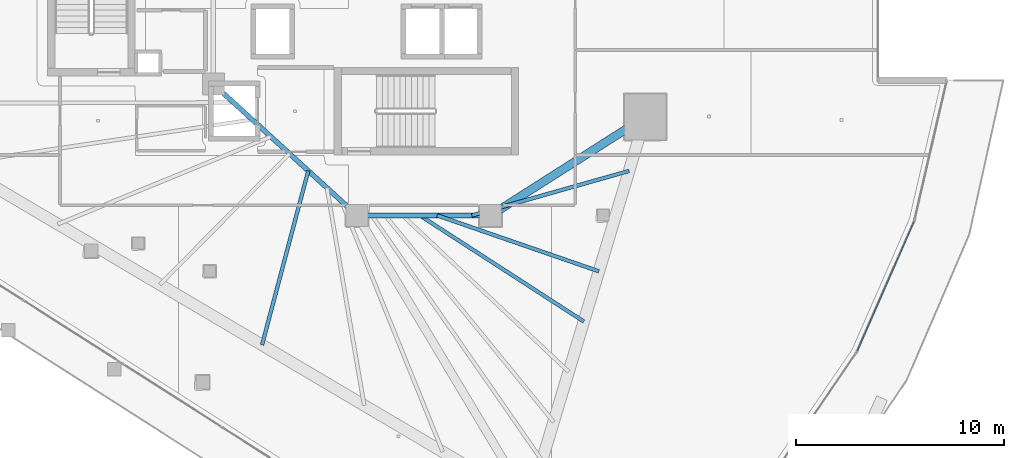
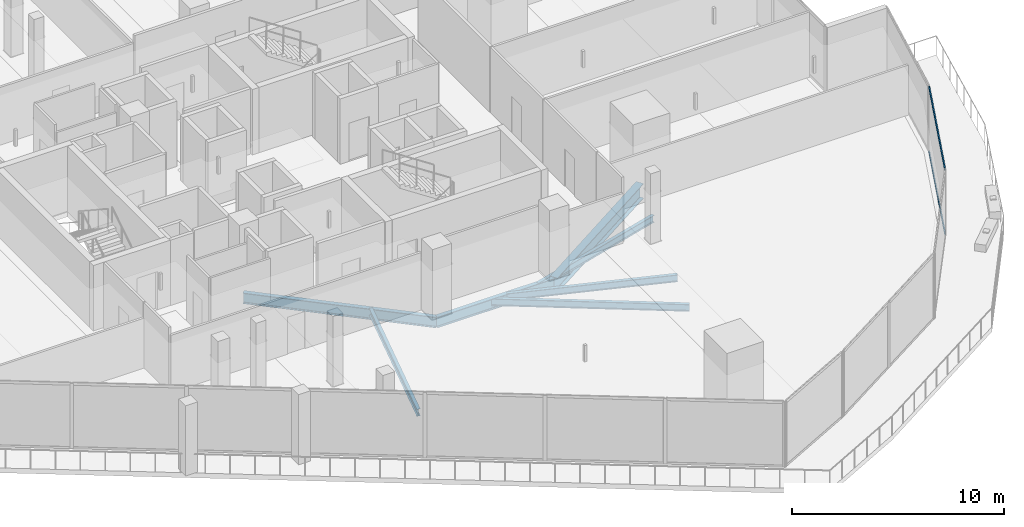
# One storey, part 11 of 42: 7 beams, 2 members, 1 element without a shape of its own.
"""IFC4 building model written with IfcOpenShell, lengths in metres."""

from ifc_helpers import new_model, si_unit, direction, frame, origin, origin_2d, place, context, subcontext, project, spatial, hollow_rectangle, i_section, extrude, material, layer, layer_set, material_profile, profile_set, type_object, element, aggregate, save


model = new_model("IFC4")

# Units and contexts
model_context = context("Model", 3, precision=1e-05, world=origin(), true_north=direction((0.0, 1.0)))
body_context = subcontext(model_context, "Body", "Model", "MODEL_VIEW")
ifc_project = project(units=[si_unit("LENGTHUNIT", "METRE"), si_unit("AREAUNIT", "SQUARE_METRE"), si_unit("VOLUMEUNIT", "CUBIC_METRE"), si_unit("PLANEANGLEUNIT", "RADIAN"), si_unit("MASSUNIT", "GRAM", prefix="KILO")], contexts=[model_context])

# Site, building, storey
site_placement = place(None, origin())
site = spatial("IfcSite", under=ifc_project, at=site_placement, CompositionType="ELEMENT")
building_placement = place(site_placement, origin())
building = spatial("IfcBuilding", under=site, at=building_placement, Name="Qorvath Tower", CompositionType="ELEMENT")
storey_placement = place(building_placement, frame((0.0, 0.0, 121.949951171875)))
storey = spatial("IfcBuildingStorey", under=building, at=storey_placement, Name="L27", CompositionType="ELEMENT", Elevation=121.949951171875)

# Beams
ifc_material_1 = material(Name="Steel ASTM A992 Grade 50", Category="steel")
ifc_material_profile_1 = material_profile(ifc_material_1, i_section(OverallWidth=0.39892578125, OverallDepth=0.85498046875, WebThickness=0.018310546875, FlangeThickness=0.029296875, FilletRadius=0.02001953125, at=origin_2d()), Name="W33x201")
ifc_profile_set_1 = profile_set([ifc_material_profile_1], Name="Steel ASTM A992 Grade 50")
beam_type_1 = type_object("IfcBeamType", Name="BM-FG2", PredefinedType="BEAM", material=ifc_profile_set_1)
beam_1_placement = place(storey_placement, frame((-17.199951171875, -11.449951171875, -0.70751953125), z_axis=(0.843634090834, 0.536918542037, 0.0), x_axis=(-0.536918542037, 0.843634090834, 0.0)))
element("IfcBeam", 1, at=beam_1_placement, inside=storey, type_object=beam_type_1, Name="Radial Floor Girder CC3-MC4 L27", PredefinedType="BEAM", context=body_context, shape_type="SweptSolid", body=[
    extrude(i_section(OverallWidth=0.39892578125, OverallDepth=0.85498046875, WebThickness=0.018310546875, FlangeThickness=0.029296875, FilletRadius=0.02001953125, at=origin_2d()), origin(), (0.0, 0.0, 1.0), 8.806884765625),
])
ifc_material_2 = material(Name="Steel ASTM A992 Grade 50", Category="steel")
ifc_material_profile_2 = material_profile(ifc_material_2, i_section(OverallWidth=0.22998046875, OverallDepth=0.616943359375, WebThickness=0.01318359375, FlangeThickness=0.022216796875, FilletRadius=0.014892578125, at=origin_2d()), Name="W24x94")
ifc_profile_set_2 = profile_set([ifc_material_profile_2], Name="Steel ASTM A992 Grade 50")
beam_type_2 = type_object("IfcBeamType", Name="BM-FG6", PredefinedType="BEAM", material=ifc_profile_set_2)
beam_2_placement = place(storey_placement, frame((-17.199951171875, -11.449951171875, -0.588623046875), z_axis=(-1.0, 0.0, 0.0), x_axis=(0.0, -1.0, 0.0)))
element("IfcBeam", 2, at=beam_2_placement, inside=storey, type_object=beam_type_2, Name="Core Ring Girder CC3-CC4 L27", PredefinedType="BEAM", context=body_context, shape_type="SweptSolid", body=[
    extrude(i_section(OverallWidth=0.22998046875, OverallDepth=0.616943359375, WebThickness=0.01318359375, FlangeThickness=0.022216796875, FilletRadius=0.014892578125, at=origin_2d()), origin(), (0.0, 0.0, 1.0), 6.400146484375),
])
beam_3_placement = place(storey_placement, frame((-23.60009765625, -11.449951171875, -0.588623046875), z_axis=(-0.73847813985, 0.6742774184, 0.0), x_axis=(-0.6742774184, -0.73847813985, 0.0)))
element("IfcBeam", 3, at=beam_3_placement, inside=storey, type_object=beam_type_2, Name="Core Ring Girder CC4-CC6 L27", PredefinedType="BEAM", context=body_context, shape_type="SweptSolid", body=[
    extrude(i_section(OverallWidth=0.22998046875, OverallDepth=0.616943359375, WebThickness=0.01318359375, FlangeThickness=0.022216796875, FilletRadius=0.014892578125, at=origin_2d()), origin(), (0.0, 0.0, 1.0), 9.343505859375),
])
ifc_material_3 = material(Name="Steel ASTM A992 Grade 50", Category="steel")
ifc_material_profile_3 = material_profile(ifc_material_3, i_section(OverallWidth=0.177978515625, OverallDepth=0.406005859375, WebThickness=0.0078125, FlangeThickness=0.0126953125, FilletRadius=0.010986328125, at=origin_2d()), Name="W16x40")
ifc_profile_set_3 = profile_set([ifc_material_profile_3], Name="Steel ASTM A992 Grade 50")
beam_type_3 = type_object("IfcBeamType", Name="BM-FJ3", PredefinedType="JOIST", material=ifc_profile_set_3)
beam_4_placement = place(storey_placement, frame((-18.095947265625, -11.449951171875, -0.483154296875), z_axis=(0.962222206221, 0.272265359264, 0.0), x_axis=(-0.272265359264, 0.962222206221, 0.0)))
element("IfcBeam", 4, at=beam_4_placement, inside=storey, type_object=beam_type_3, Name="Composite Floor Joist SE1 L27", PredefinedType="JOIST", context=body_context, shape_type="SweptSolid", body=[
    extrude(i_section(OverallWidth=0.177978515625, OverallDepth=0.406005859375, WebThickness=0.0078125, FlangeThickness=0.0126953125, FilletRadius=0.010986328125, at=origin_2d()), origin(), (0.0, 0.0, 1.0), 7.841552734375),
])
beam_5_placement = place(storey_placement, frame((-19.760009765625, -11.449951171875, -0.483154296875), z_axis=(0.945168345309, -0.326583525342, 0.0), x_axis=(0.326583525342, 0.945168345309, 0.0)))
element("IfcBeam", 5, at=beam_5_placement, inside=storey, type_object=beam_type_3, Name="Composite Floor Joist SE3 L27", PredefinedType="JOIST", context=body_context, shape_type="SweptSolid", body=[
    extrude(i_section(OverallWidth=0.177978515625, OverallDepth=0.406005859375, WebThickness=0.0078125, FlangeThickness=0.0126953125, FilletRadius=0.010986328125, at=origin_2d()), origin(), (0.0, 0.0, 1.0), 8.21044921875),
])
beam_6_placement = place(storey_placement, frame((-20.592041015625, -11.449951171875, -0.483154296875), z_axis=(0.839630966809, -0.543157288062, 0.0), x_axis=(0.543157288062, 0.839630966809, 0.0)))
element("IfcBeam", 6, at=beam_6_placement, inside=storey, type_object=beam_type_3, Name="Composite Floor Joist SE4 L27", PredefinedType="JOIST", context=body_context, shape_type="SweptSolid", body=[
    extrude(i_section(OverallWidth=0.177978515625, OverallDepth=0.406005859375, WebThickness=0.0078125, FlangeThickness=0.0126953125, FilletRadius=0.010986328125, at=origin_2d()), origin(), (0.0, 0.0, 1.0), 9.370361328125),
])
beam_7_placement = place(storey_placement, frame((-25.946044921875, -9.30810546875, -0.483154296875), z_axis=(-0.256507909517, -0.966542131702, 0.0), x_axis=(0.966542131702, -0.256507909517, 0.0)))
element("IfcBeam", 7, at=beam_7_placement, inside=storey, type_object=beam_type_3, Name="Composite Floor Joist SW5 L27", PredefinedType="JOIST", context=body_context, shape_type="SweptSolid", body=[
    extrude(i_section(OverallWidth=0.177978515625, OverallDepth=0.406005859375, WebThickness=0.0078125, FlangeThickness=0.0126953125, FilletRadius=0.010986328125, at=origin_2d()), origin(), (0.0, 0.0, 1.0), 8.64697265625),
])

# Curtain wall, members
ifc_material_4 = material(Name="Anodised aluminium and triple low-E glass", Category="aluminium")
ifc_layer = layer(ifc_material_4, 0.179931640625)
ifc_layer_set = layer_set([ifc_layer], Name="CW-SYS-2")
curtain_wall_type = type_object("IfcCurtainWallType", Name="CW-SYS-2", PredefinedType="NOTDEFINED", material=ifc_layer_set)
curtain_wall_placement = place(storey_placement, origin())
curtain_wall = element("IfcCurtainWall", 8, at=curtain_wall_placement, inside=storey, type_object=curtain_wall_type, Name="Curtain Wall CW-2 CW-T-L27-6.1", PredefinedType="NOTDEFINED")
ifc_material_5 = material(Name="Anodised aluminium 6063-T6", Category="aluminium")
ifc_material_profile_4 = material_profile(ifc_material_5, hollow_rectangle(XDim=0.06494140625, YDim=0.159912109375, WallThickness=0.00341796875, InnerFilletRadius=0.00341796875, OuterFilletRadius=0.007080078125, at=origin_2d()), Name="CWT 160x65")
ifc_profile_set_4 = profile_set([ifc_material_profile_4], Name="Anodised aluminium 6063-T6")
member_type = type_object("IfcMemberType", Name="CWT-160", PredefinedType="USERDEFINED", material=ifc_profile_set_4)
member_1_placement = place(storey_placement, frame((0.3984375, -17.952880859375, 0.032470703125), z_axis=(0.40165088522, 0.91579286217, 0.0), x_axis=(-0.91579286217, 0.40165088522, 0.0)))
member_1 = element("IfcMember", 9, at=member_1_placement, type_object=member_type, Name="CW-2 transom 1.1", ObjectType="TRANSOM", PredefinedType="USERDEFINED", context=body_context, shape_type="SweptSolid", body=[
    extrude(hollow_rectangle(XDim=0.06494140625, YDim=0.159912109375, WallThickness=0.00341796875, InnerFilletRadius=0.00341796875, OuterFilletRadius=0.007080078125, at=origin_2d()), origin(), (0.0, 0.0, 1.0), 6.771484375),
])
member_2_placement = place(storey_placement, frame((0.3984375, -17.952880859375, 3.737548828125), z_axis=(0.40165088522, 0.91579286217, 0.0), x_axis=(-0.91579286217, 0.40165088522, 0.0)))
member_2 = element("IfcMember", 10, at=member_2_placement, type_object=member_type, Name="CW-2 transom 1.2", ObjectType="TRANSOM", PredefinedType="USERDEFINED", context=body_context, shape_type="SweptSolid", body=[
    extrude(hollow_rectangle(XDim=0.06494140625, YDim=0.159912109375, WallThickness=0.00341796875, InnerFilletRadius=0.00341796875, OuterFilletRadius=0.007080078125, at=origin_2d()), origin(), (0.0, 0.0, 1.0), 6.771484375),
])
aggregate(curtain_wall, [member_1, member_2])

save(model, "model.ifc")
